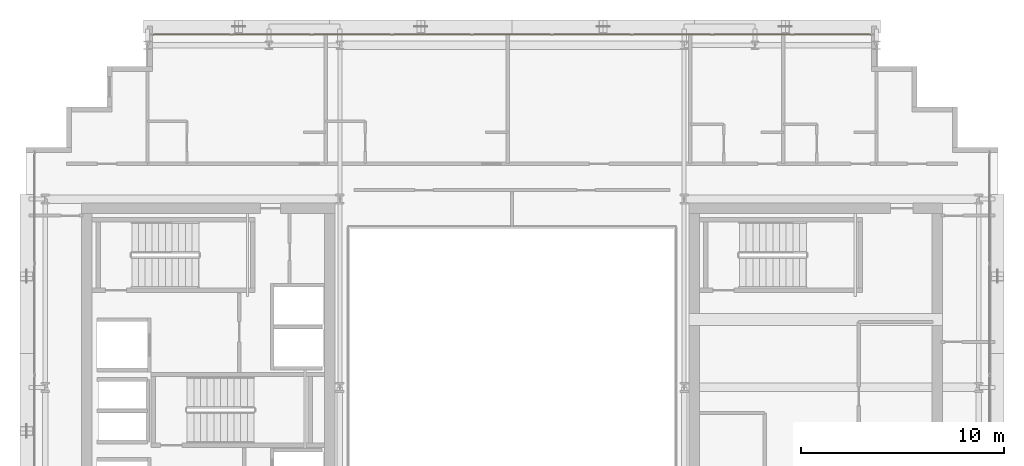
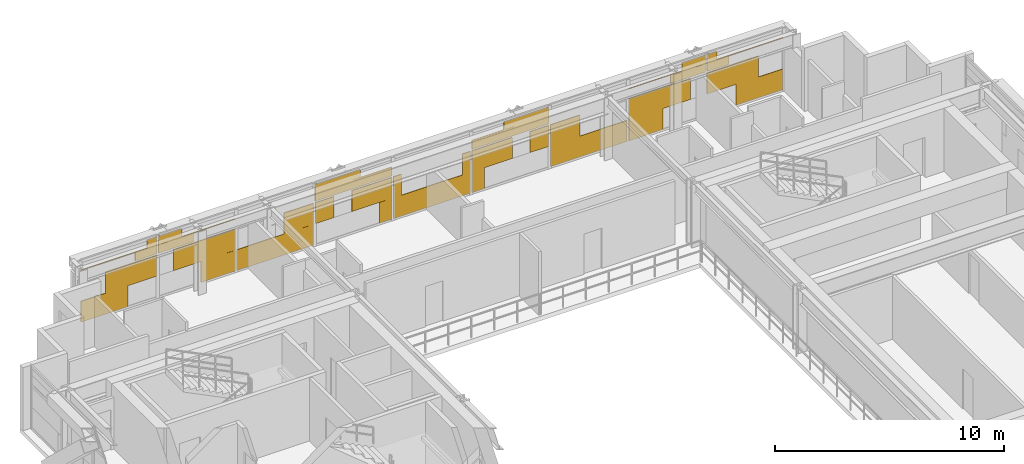
# One storey, part 31 of 31: 1 covering.
"""IFC4 building model written with IfcOpenShell, lengths in metres."""

from ifc_helpers import new_model, si_unit, direction, frame, origin, origin_2d, place, context, subcontext, project, spatial, rectangle, extrude, material, layer, layer_set, type_object, element, save


model = new_model("IFC4")

# Units and contexts
model_context = context("Model", 3, precision=1e-05, world=origin(), true_north=direction((0.0, 1.0)))
body_context = subcontext(model_context, "Body", "Model", "MODEL_VIEW")
ifc_project = project(units=[si_unit("LENGTHUNIT", "METRE"), si_unit("AREAUNIT", "SQUARE_METRE"), si_unit("VOLUMEUNIT", "CUBIC_METRE"), si_unit("PLANEANGLEUNIT", "RADIAN"), si_unit("MASSUNIT", "GRAM", prefix="KILO")], contexts=[model_context])

# Site, building, storey
site_placement = place(None, origin())
site = spatial("IfcSite", under=ifc_project, at=site_placement, CompositionType="ELEMENT")
building_placement = place(site_placement, origin())
building = spatial("IfcBuilding", under=site, at=building_placement, Name="Ocotamira Hotel", CompositionType="ELEMENT")
storey_placement = place(building_placement, frame((0.0, 0.0, 181.199951171875)))
storey = spatial("IfcBuildingStorey", under=building, at=storey_placement, Name="L45", CompositionType="ELEMENT", Elevation=181.199951171875)

# Covering
ifc_material = material(Name="Insulated pale-metal aluminium spandrel panel", Category="aluminium")
ifc_layer = layer(ifc_material, 0.044921875)
ifc_layer_set = layer_set([ifc_layer], Name="Insulated pale-metal aluminium spandrel panel")
covering_type = type_object("IfcCoveringType", Name="COV-INFILL-45", PredefinedType="CLADDING", material=ifc_layer_set)
covering_placement = place(storey_placement, origin())
element("IfcCovering", 1, at=covering_placement, inside=storey, type_object=covering_type, Name="L45 Curtain Wall Infill CW-4 CW-L45-N", PredefinedType="CLADDING", context=body_context, shape_type="SweptSolid", body=[
    extrude(rectangle(XDim=2.37158203125, YDim=0.044921875, at=origin_2d()), frame((15.46630859375, 45.580078125, 0.07568359375), z_axis=(0.0, 0.0, 1.0), x_axis=(1.0, 0.0, 0.0)), (0.0, 0.0, 1.0), 1.117919921875),
    extrude(rectangle(XDim=2.58251953125, YDim=0.044921875, at=origin_2d()), frame((16.82373046875, 45.580078125, 1.1943359375), z_axis=(0.0, 0.0, 1.0), x_axis=(1.0, 0.0, 0.0)), (0.0, 0.0, 1.0), 1.11767578125),
    extrude(rectangle(XDim=3.834716796875, YDim=0.044921875, at=origin_2d()), frame((16.19775390625, 45.580078125, 2.83154296875), z_axis=(0.0, 0.0, 1.0), x_axis=(1.0, 0.0, 0.0)), (0.0, 0.0, 1.0), 0.0302734375),
    extrude(rectangle(XDim=1.090576171875, YDim=0.044921875, at=origin_2d()), frame((17.56982421875, 45.580078125, 2.38818359375), z_axis=(0.0, 0.0, 1.0), x_axis=(1.0, 0.0, 0.0)), (0.0, 0.0, 1.0), 0.442626953125),
    extrude(rectangle(XDim=0.496826171875, YDim=0.044921875, at=origin_2d()), frame((17.86669921875, 45.580078125, 2.863037109375), z_axis=(0.0, 0.0, 1.0), x_axis=(1.0, 0.0, 0.0)), (0.0, 0.0, 1.0), 0.431640625),
    extrude(rectangle(XDim=3.12109375, YDim=0.044921875, at=origin_2d()), frame((20.510009765625, 45.580078125, 1.1943359375), z_axis=(0.0, 0.0, 1.0), x_axis=(1.0, 0.0, 0.0)), (0.0, 0.0, 1.0), 1.11767578125),
    extrude(rectangle(XDim=1.72265625, YDim=0.044921875, at=origin_2d()), frame((21.209228515625, 45.580078125, 0.07568359375), z_axis=(0.0, 0.0, 1.0), x_axis=(1.0, 0.0, 0.0)), (0.0, 0.0, 1.0), 1.117919921875),
    extrude(rectangle(XDim=1.779296875, YDim=0.044921875, at=origin_2d()), frame((19.085693359375, 45.580078125, 2.38818359375), z_axis=(0.0, 0.0, 1.0), x_axis=(1.0, 0.0, 0.0)), (0.0, 0.0, 1.0), 0.442626953125),
    extrude(rectangle(XDim=3.87451171875, YDim=0.044921875, at=origin_2d()), frame((20.13330078125, 45.580078125, 2.83154296875), z_axis=(0.0, 0.0, 1.0), x_axis=(1.0, 0.0, 0.0)), (0.0, 0.0, 1.0), 0.0302734375),
    extrude(rectangle(XDim=1.185791015625, YDim=0.044921875, at=origin_2d()), frame((18.7890625, 45.580078125, 2.863037109375), z_axis=(0.0, 0.0, 1.0), x_axis=(1.0, 0.0, 0.0)), (0.0, 0.0, 1.0), 0.431640625),
    extrude(rectangle(XDim=3.87451171875, YDim=0.044921875, at=origin_2d()), frame((24.0888671875, 45.580078125, 0.07568359375), z_axis=(0.0, 0.0, 1.0), x_axis=(1.0, 0.0, 0.0)), (0.0, 0.0, 1.0), 1.117919921875),
    extrude(rectangle(XDim=1.493896484375, YDim=0.044921875, at=origin_2d()), frame((25.279296875, 45.580078125, 1.1943359375), z_axis=(0.0, 0.0, 1.0), x_axis=(1.0, 0.0, 0.0)), (0.0, 0.0, 1.0), 1.11767578125),
    extrude(rectangle(XDim=0.943115234375, YDim=0.044921875, at=origin_2d()), frame((26.578857421875, 45.580078125, 1.1943359375), z_axis=(0.0, 0.0, 1.0), x_axis=(1.0, 0.0, 0.0)), (0.0, 0.0, 1.0), 1.11767578125),
    extrude(rectangle(XDim=2.031982421875, YDim=0.044921875, at=origin_2d()), frame((28.9658203125, 45.580078125, 1.1943359375), z_axis=(0.0, 0.0, 1.0), x_axis=(1.0, 0.0, 0.0)), (0.0, 0.0, 1.0), 1.11767578125),
    extrude(rectangle(XDim=0.6337890625, YDim=0.044921875, at=origin_2d()), frame((29.664794921875, 45.580078125, 0.07568359375), z_axis=(0.0, 0.0, 1.0), x_axis=(1.0, 0.0, 0.0)), (0.0, 0.0, 1.0), 1.117919921875),
    extrude(rectangle(XDim=3.87451171875, YDim=0.044921875, at=origin_2d()), frame((28.04443359375, 45.580078125, 2.38818359375), z_axis=(0.0, 0.0, 1.0), x_axis=(1.0, 0.0, 0.0)), (0.0, 0.0, 1.0), 0.473876953125),
    extrude(rectangle(XDim=2.274658203125, YDim=0.044921875, at=origin_2d()), frame((27.244384765625, 45.580078125, 2.863037109375), z_axis=(0.0, 0.0, 1.0), x_axis=(1.0, 0.0, 0.0)), (0.0, 0.0, 1.0), 0.431640625),
    extrude(rectangle(XDim=3.87451171875, YDim=0.044921875, at=origin_2d()), frame((32.0, 45.580078125, 0.07568359375), z_axis=(0.0, 0.0, 1.0), x_axis=(1.0, 0.0, 0.0)), (0.0, 0.0, 1.0), 1.117919921875),
    extrude(rectangle(XDim=0.40478515625, YDim=0.044921875, at=origin_2d()), frame((30.26513671875, 45.580078125, 1.1943359375), z_axis=(0.0, 0.0, 1.0), x_axis=(1.0, 0.0, 0.0)), (0.0, 0.0, 1.0), 1.11767578125),
    extrude(rectangle(XDim=0.40478515625, YDim=0.044921875, at=origin_2d()), frame((33.73486328125, 45.580078125, 1.1943359375), z_axis=(0.0, 0.0, 1.0), x_axis=(1.0, 0.0, 0.0)), (0.0, 0.0, 1.0), 1.11767578125),
    extrude(rectangle(XDim=0.6337890625, YDim=0.044921875, at=origin_2d()), frame((34.335205078125, 45.580078125, 0.07568359375), z_axis=(0.0, 0.0, 1.0), x_axis=(1.0, 0.0, 0.0)), (0.0, 0.0, 1.0), 1.117919921875),
    extrude(rectangle(XDim=2.031982421875, YDim=0.044921875, at=origin_2d()), frame((35.0341796875, 45.580078125, 1.1943359375), z_axis=(0.0, 0.0, 1.0), x_axis=(1.0, 0.0, 0.0)), (0.0, 0.0, 1.0), 1.11767578125),
    extrude(rectangle(XDim=0.943115234375, YDim=0.044921875, at=origin_2d()), frame((37.421142578125, 45.580078125, 1.1943359375), z_axis=(0.0, 0.0, 1.0), x_axis=(1.0, 0.0, 0.0)), (0.0, 0.0, 1.0), 1.11767578125),
    extrude(rectangle(XDim=3.87451171875, YDim=0.044921875, at=origin_2d()), frame((35.95556640625, 45.580078125, 2.38818359375), z_axis=(0.0, 0.0, 1.0), x_axis=(1.0, 0.0, 0.0)), (0.0, 0.0, 1.0), 0.473876953125),
    extrude(rectangle(XDim=2.274658203125, YDim=0.044921875, at=origin_2d()), frame((36.755615234375, 45.580078125, 2.863037109375), z_axis=(0.0, 0.0, 1.0), x_axis=(1.0, 0.0, 0.0)), (0.0, 0.0, 1.0), 0.431640625),
    extrude(rectangle(XDim=3.87451171875, YDim=0.044921875, at=origin_2d()), frame((39.9111328125, 45.580078125, 0.07568359375), z_axis=(0.0, 0.0, 1.0), x_axis=(1.0, 0.0, 0.0)), (0.0, 0.0, 1.0), 1.117919921875),
    extrude(rectangle(XDim=1.493896484375, YDim=0.044921875, at=origin_2d()), frame((38.720703125, 45.580078125, 1.1943359375), z_axis=(0.0, 0.0, 1.0), x_axis=(1.0, 0.0, 0.0)), (0.0, 0.0, 1.0), 1.11767578125),
    extrude(rectangle(XDim=1.72265625, YDim=0.044921875, at=origin_2d()), frame((42.790771484375, 45.580078125, 0.07568359375), z_axis=(0.0, 0.0, 1.0), x_axis=(1.0, 0.0, 0.0)), (0.0, 0.0, 1.0), 1.117919921875),
    extrude(rectangle(XDim=3.12109375, YDim=0.044921875, at=origin_2d()), frame((43.489990234375, 45.580078125, 1.1943359375), z_axis=(0.0, 0.0, 1.0), x_axis=(1.0, 0.0, 0.0)), (0.0, 0.0, 1.0), 1.11767578125),
    extrude(rectangle(XDim=3.87451171875, YDim=0.044921875, at=origin_2d()), frame((43.86669921875, 45.580078125, 2.83154296875), z_axis=(0.0, 0.0, 1.0), x_axis=(1.0, 0.0, 0.0)), (0.0, 0.0, 1.0), 0.0302734375),
    extrude(rectangle(XDim=1.779296875, YDim=0.044921875, at=origin_2d()), frame((44.914306640625, 45.580078125, 2.38818359375), z_axis=(0.0, 0.0, 1.0), x_axis=(1.0, 0.0, 0.0)), (0.0, 0.0, 1.0), 0.442626953125),
    extrude(rectangle(XDim=1.185791015625, YDim=0.044921875, at=origin_2d()), frame((45.2109375, 45.580078125, 2.863037109375), z_axis=(0.0, 0.0, 1.0), x_axis=(1.0, 0.0, 0.0)), (0.0, 0.0, 1.0), 0.431640625),
    extrude(rectangle(XDim=2.58251953125, YDim=0.044921875, at=origin_2d()), frame((47.17626953125, 45.580078125, 1.1943359375), z_axis=(0.0, 0.0, 1.0), x_axis=(1.0, 0.0, 0.0)), (0.0, 0.0, 1.0), 1.11767578125),
    extrude(rectangle(XDim=2.37158203125, YDim=0.044921875, at=origin_2d()), frame((48.53369140625, 45.580078125, 0.07568359375), z_axis=(0.0, 0.0, 1.0), x_axis=(1.0, 0.0, 0.0)), (0.0, 0.0, 1.0), 1.117919921875),
    extrude(rectangle(XDim=1.090576171875, YDim=0.044921875, at=origin_2d()), frame((46.43017578125, 45.580078125, 2.38818359375), z_axis=(0.0, 0.0, 1.0), x_axis=(1.0, 0.0, 0.0)), (0.0, 0.0, 1.0), 0.442626953125),
    extrude(rectangle(XDim=3.834716796875, YDim=0.044921875, at=origin_2d()), frame((47.80224609375, 45.580078125, 2.83154296875), z_axis=(0.0, 0.0, 1.0), x_axis=(1.0, 0.0, 0.0)), (0.0, 0.0, 1.0), 0.0302734375),
    extrude(rectangle(XDim=0.496826171875, YDim=0.044921875, at=origin_2d()), frame((46.13330078125, 45.580078125, 2.863037109375), z_axis=(0.0, 0.0, 1.0), x_axis=(1.0, 0.0, 0.0)), (0.0, 0.0, 1.0), 0.431640625),
])

save(model, "model.ifc")
